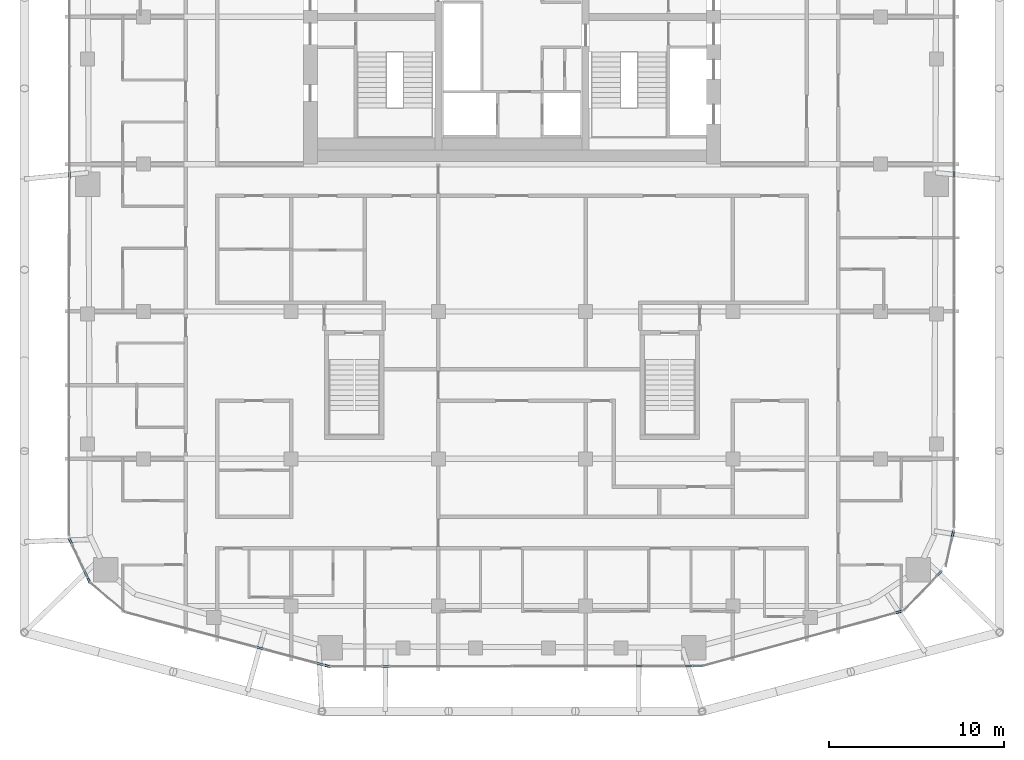
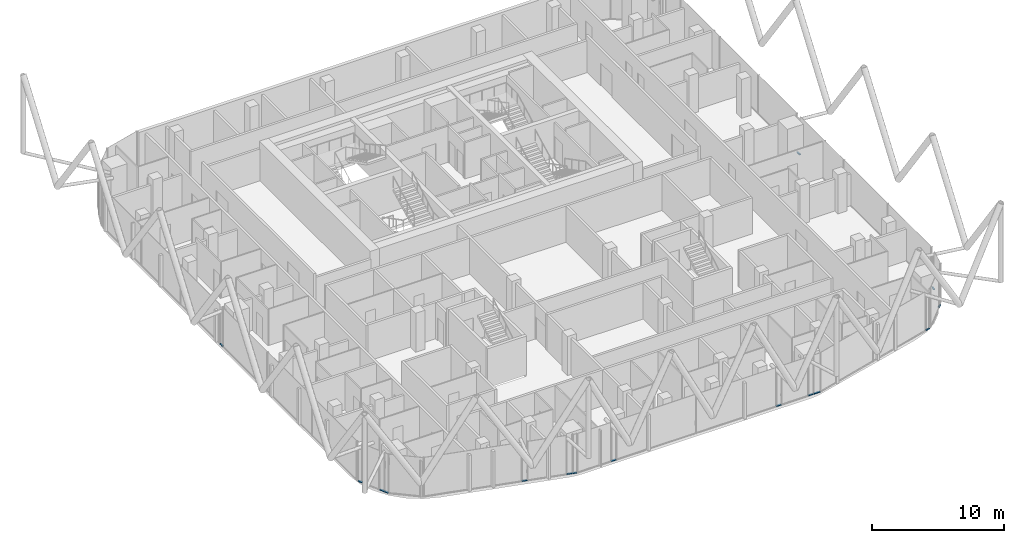
# One storey, part 12 of 31: 15 members, 15 elements without a shape of their own.
"""IFC4 building model written with IfcOpenShell, lengths in metres."""

from ifc_helpers import new_model, si_unit, direction, frame, origin, origin_2d, place, context, subcontext, project, spatial, rectangle, extrude, material, layer, layer_set, material_profile, profile_set, type_object, element, aggregate, save


model = new_model("IFC4")

# Units and contexts
model_context = context("Model", 3, precision=1e-05, world=origin(), true_north=direction((0.0, 1.0)))
body_context = subcontext(model_context, "Body", "Model", "MODEL_VIEW")
ifc_project = project(units=[si_unit("LENGTHUNIT", "METRE"), si_unit("AREAUNIT", "SQUARE_METRE"), si_unit("VOLUMEUNIT", "CUBIC_METRE"), si_unit("PLANEANGLEUNIT", "RADIAN"), si_unit("MASSUNIT", "GRAM", prefix="KILO")], contexts=[model_context])

# Site, building, storey
site_placement = place(None, origin())
site = spatial("IfcSite", under=ifc_project, at=site_placement, CompositionType="ELEMENT")
building_placement = place(site_placement, origin())
building = spatial("IfcBuilding", under=site, at=building_placement, Name="Marenta Gate Hotel Tower", CompositionType="ELEMENT")
storey_placement = place(building_placement, frame((0.0, 0.0, 205.699951171875)))
storey = spatial("IfcBuildingStorey", under=building, at=storey_placement, Name="L47", CompositionType="ELEMENT", Elevation=205.699951171875)

# Curtain wall, member
ifc_material_1 = material(Name="Tinted insulated glass in bronze anodised frame", Category="glass")
ifc_layer = layer(ifc_material_1, 0.1201171875)
ifc_layer_set = layer_set([ifc_layer], Name="Tinted insulated glass in bronze anodised frame")
curtain_wall_type = type_object("IfcCurtainWallType", Name="Tower unitised curtain wall CW1", PredefinedType="NOTDEFINED", material=ifc_layer_set)
curtain_wall_1_placement = place(storey_placement, origin())
curtain_wall_1 = element("IfcCurtainWall", 1, at=curtain_wall_1_placement, inside=storey, type_object=curtain_wall_type, Name="CW1 run G07", PredefinedType="NOTDEFINED")
ifc_material_2 = material(Name="Bronze anodised aluminium", Category="aluminium")
ifc_material_profile = material_profile(ifc_material_2, rectangle(XDim=0.1201171875, YDim=0.06005859375, at=origin_2d()), Name="Transom CW1 60x120 bronze anodised aluminium")
ifc_profile_set = profile_set([ifc_material_profile], Name="Bronze anodised aluminium")
member_type = type_object("IfcMemberType", Name="Transom CW1 60x120 bronze anodised aluminium", PredefinedType="USERDEFINED", material=ifc_profile_set)
member_1_placement = place(storey_placement, frame((-25.240478515625, -0.430419921875, 0.030029296875), z_axis=(-0.001235329508, -0.99999923698, 0.0), x_axis=(0.99999923698, -0.001235329508, 0.0)))
member_1 = element("IfcMember", 2, at=member_1_placement, type_object=member_type, Name="CW1 transom 1.1", ObjectType="TRANSOM", PredefinedType="USERDEFINED", context=body_context, shape_type="SweptSolid", body=[
    extrude(rectangle(XDim=0.1201171875, YDim=0.06005859375, at=origin_2d()), origin(), (0.0, 0.0, 1.0), 0.395263671875),
])
aggregate(curtain_wall_1, [member_1])

curtain_wall_2_placement = place(storey_placement, origin())
curtain_wall_2 = element("IfcCurtainWall", 3, at=curtain_wall_2_placement, inside=storey, type_object=curtain_wall_type, Name="CW1 run G09", PredefinedType="NOTDEFINED")
member_2_placement = place(storey_placement, frame((-25.24755859375, -21.34814453125, 0.030029296875), z_axis=(0.423272916218, -0.906002228693, 0.0), x_axis=(0.906002228693, 0.423272916218, 0.0)))
member_2 = element("IfcMember", 4, at=member_2_placement, type_object=member_type, Name="CW1 transom 1.1", ObjectType="TRANSOM", PredefinedType="USERDEFINED", context=body_context, shape_type="SweptSolid", body=[
    extrude(rectangle(XDim=0.1201171875, YDim=0.06005859375, at=origin_2d()), origin(), (0.0, 0.0, 1.0), 0.344970703125),
])
aggregate(curtain_wall_2, [member_2])

curtain_wall_3_placement = place(storey_placement, origin())
curtain_wall_3 = element("IfcCurtainWall", 5, at=curtain_wall_3_placement, inside=storey, type_object=curtain_wall_type, Name="CW1 run G11", PredefinedType="NOTDEFINED")
member_3_placement = place(storey_placement, frame((-24.406005859375, -23.149169921875, 0.030029296875), z_axis=(0.42333108841, -0.905975049097, 0.0), x_axis=(0.905975049097, 0.42333108841, 0.0)))
member_3 = element("IfcMember", 6, at=member_3_placement, type_object=member_type, Name="CW1 transom 1.1", ObjectType="TRANSOM", PredefinedType="USERDEFINED", context=body_context, shape_type="SweptSolid", body=[
    extrude(rectangle(XDim=0.1201171875, YDim=0.06005859375, at=origin_2d()), origin(), (0.0, 0.0, 1.0), 0.419921875),
])
aggregate(curtain_wall_3, [member_3])

curtain_wall_4_placement = place(storey_placement, origin())
curtain_wall_4 = element("IfcCurtainWall", 7, at=curtain_wall_4_placement, inside=storey, type_object=curtain_wall_type, Name="CW1 run G12", PredefinedType="NOTDEFINED")
member_4_placement = place(storey_placement, frame((-24.202880859375, -23.583740234375, 0.030029296875), z_axis=(0.422602733719, -0.90631502771, 0.0), x_axis=(0.90631502771, 0.422602733719, 0.0)))
member_4 = element("IfcMember", 8, at=member_4_placement, type_object=member_type, Name="CW1 transom 1.1", ObjectType="TRANSOM", PredefinedType="USERDEFINED", context=body_context, shape_type="SweptSolid", body=[
    extrude(rectangle(XDim=0.1201171875, YDim=0.06005859375, at=origin_2d()), origin(), (0.0, 0.0, 1.0), 0.28369140625),
])
aggregate(curtain_wall_4, [member_4])

curtain_wall_5_placement = place(storey_placement, origin())
curtain_wall_5 = element("IfcCurtainWall", 9, at=curtain_wall_5_placement, inside=storey, type_object=curtain_wall_type, Name="CW1 run G15", PredefinedType="NOTDEFINED")
member_5_placement = place(storey_placement, frame((-14.55029296875, -27.544677734375, 0.030029296875), z_axis=(0.966379102199, -0.257121432076, 0.0), x_axis=(0.257121432076, 0.966379102199, 0.0)))
member_5 = element("IfcMember", 10, at=member_5_placement, type_object=member_type, Name="CW1 transom 1.1", ObjectType="TRANSOM", PredefinedType="USERDEFINED", context=body_context, shape_type="SweptSolid", body=[
    extrude(rectangle(XDim=0.1201171875, YDim=0.06005859375, at=origin_2d()), origin(), (0.0, 0.0, 1.0), 0.39306640625),
])
aggregate(curtain_wall_5, [member_5])

curtain_wall_6_placement = place(storey_placement, origin())
curtain_wall_6 = element("IfcCurtainWall", 11, at=curtain_wall_6_placement, inside=storey, type_object=curtain_wall_type, Name="CW1 run G17", PredefinedType="NOTDEFINED")
member_6_placement = place(storey_placement, frame((-11.14599609375, -28.450439453125, 0.030029296875), z_axis=(0.966371226399, -0.257151031083, 0.0), x_axis=(0.257151031083, 0.966371226399, 0.0)))
member_6 = element("IfcMember", 12, at=member_6_placement, type_object=member_type, Name="CW1 transom 1.1", ObjectType="TRANSOM", PredefinedType="USERDEFINED", context=body_context, shape_type="SweptSolid", body=[
    extrude(rectangle(XDim=0.1201171875, YDim=0.06005859375, at=origin_2d()), origin(), (0.0, 0.0, 1.0), 0.415771484375),
])
aggregate(curtain_wall_6, [member_6])

curtain_wall_7_placement = place(storey_placement, origin())
curtain_wall_7 = element("IfcCurtainWall", 13, at=curtain_wall_7_placement, inside=storey, type_object=curtain_wall_type, Name="CW1 run G18", PredefinedType="NOTDEFINED")
member_7_placement = place(storey_placement, frame((-10.686279296875, -28.57275390625, 0.030029296875), z_axis=(0.966262873917, -0.257557874058, 0.0), x_axis=(0.257557874058, 0.966262873917, 0.0)))
member_7 = element("IfcMember", 14, at=member_7_placement, type_object=member_type, Name="CW1 transom 1.1", ObjectType="TRANSOM", PredefinedType="USERDEFINED", context=body_context, shape_type="SweptSolid", body=[
    extrude(rectangle(XDim=0.1201171875, YDim=0.06005859375, at=origin_2d()), origin(), (0.0, 0.0, 1.0), 0.2900390625),
])
aggregate(curtain_wall_7, [member_7])

curtain_wall_8_placement = place(storey_placement, origin())
curtain_wall_8 = element("IfcCurtainWall", 15, at=curtain_wall_8_placement, inside=storey, type_object=curtain_wall_type, Name="CW1 run G20", PredefinedType="NOTDEFINED")
member_8_placement = place(storey_placement, frame((-7.3828125, -28.642578125, 0.030029296875), z_axis=(0.99999826396, 0.001863350802, 0.0), x_axis=(-0.001863350802, 0.99999826396, 0.0)))
member_8 = element("IfcMember", 16, at=member_8_placement, type_object=member_type, Name="CW1 transom 1.1", ObjectType="TRANSOM", PredefinedType="USERDEFINED", context=body_context, shape_type="SweptSolid", body=[
    extrude(rectangle(XDim=0.1201171875, YDim=0.06005859375, at=origin_2d()), origin(), (0.0, 0.0, 1.0), 0.39306640625),
])
aggregate(curtain_wall_8, [member_8])

curtain_wall_9_placement = place(storey_placement, origin())
curtain_wall_9 = element("IfcCurtainWall", 17, at=curtain_wall_9_placement, inside=storey, type_object=curtain_wall_type, Name="CW1 run G22", PredefinedType="NOTDEFINED")
member_9_placement = place(storey_placement, frame((7.0693359375, -28.618896484375, 0.030029296875), z_axis=(0.99999826396, 0.001863350802, 0.0), x_axis=(-0.001863350802, 0.99999826396, 0.0)))
member_9 = element("IfcMember", 18, at=member_9_placement, type_object=member_type, Name="CW1 transom 1.1", ObjectType="TRANSOM", PredefinedType="USERDEFINED", context=body_context, shape_type="SweptSolid", body=[
    extrude(rectangle(XDim=0.1201171875, YDim=0.06005859375, at=origin_2d()), origin(), (0.0, 0.0, 1.0), 0.39306640625),
])
aggregate(curtain_wall_9, [member_9])

curtain_wall_10_placement = place(storey_placement, origin())
curtain_wall_10 = element("IfcCurtainWall", 19, at=curtain_wall_10_placement, inside=storey, type_object=curtain_wall_type, Name="CW1 run G24", PredefinedType="NOTDEFINED")
member_10_placement = place(storey_placement, frame((9.85498046875, -28.6142578125, 0.030029296875), z_axis=(0.9999984374, 0.001767822812, 0.0), x_axis=(-0.001767822812, 0.9999984374, 0.0)))
member_10 = element("IfcMember", 20, at=member_10_placement, type_object=member_type, Name="CW1 transom 1.1", ObjectType="TRANSOM", PredefinedType="USERDEFINED", context=body_context, shape_type="SweptSolid", body=[
    extrude(rectangle(XDim=0.1201171875, YDim=0.06005859375, at=origin_2d()), origin(), (0.0, 0.0, 1.0), 0.414306640625),
])
aggregate(curtain_wall_10, [member_10])

curtain_wall_11_placement = place(storey_placement, origin())
curtain_wall_11 = element("IfcCurtainWall", 21, at=curtain_wall_11_placement, inside=storey, type_object=curtain_wall_type, Name="CW1 run G25", PredefinedType="NOTDEFINED")
member_11_placement = place(storey_placement, frame((10.3291015625, -28.61328125, 0.030029296875), z_axis=(0.999999095908, 0.001344687265, 0.0), x_axis=(-0.001344687265, 0.999999095908, 0.0)))
member_11 = element("IfcMember", 22, at=member_11_placement, type_object=member_type, Name="CW1 transom 1.1", ObjectType="TRANSOM", PredefinedType="USERDEFINED", context=body_context, shape_type="SweptSolid", body=[
    extrude(rectangle(XDim=0.1201171875, YDim=0.06005859375, at=origin_2d()), origin(), (0.0, 0.0, 1.0), 0.544677734375),
])
aggregate(curtain_wall_11, [member_11])

curtain_wall_12_placement = place(storey_placement, origin())
curtain_wall_12 = element("IfcCurtainWall", 23, at=curtain_wall_12_placement, inside=storey, type_object=curtain_wall_type, Name="CW1 run G27", PredefinedType="NOTDEFINED")
member_12_placement = place(storey_placement, frame((21.87744140625, -25.584716796875, 0.030029296875), z_axis=(0.964240401842, 0.26502914454, 0.0), x_axis=(-0.26502914454, 0.964240401842, 0.0)))
member_12 = element("IfcMember", 24, at=member_12_placement, type_object=member_type, Name="CW1 transom 1.1", ObjectType="TRANSOM", PredefinedType="USERDEFINED", context=body_context, shape_type="SweptSolid", body=[
    extrude(rectangle(XDim=0.1201171875, YDim=0.06005859375, at=origin_2d()), origin(), (0.0, 0.0, 1.0), 0.3564453125),
])
aggregate(curtain_wall_12, [member_12])

curtain_wall_13_placement = place(storey_placement, origin())
curtain_wall_13 = element("IfcCurtainWall", 25, at=curtain_wall_13_placement, inside=storey, type_object=curtain_wall_type, Name="CW1 run G29", PredefinedType="NOTDEFINED")
member_13_placement = place(storey_placement, frame((24.244873046875, -23.461669921875, 0.030029296875), z_axis=(0.69228754022, 0.721621758026, 0.0), x_axis=(-0.721621758026, 0.69228754022, 0.0)))
member_13 = element("IfcMember", 26, at=member_13_placement, type_object=member_type, Name="CW1 transom 1.1", ObjectType="TRANSOM", PredefinedType="USERDEFINED", context=body_context, shape_type="SweptSolid", body=[
    extrude(rectangle(XDim=0.1201171875, YDim=0.06005859375, at=origin_2d()), origin(), (0.0, 0.0, 1.0), 0.3330078125),
])
aggregate(curtain_wall_13, [member_13])

curtain_wall_14_placement = place(storey_placement, origin())
curtain_wall_14 = element("IfcCurtainWall", 27, at=curtain_wall_14_placement, inside=storey, type_object=curtain_wall_type, Name="CW1 run G31", PredefinedType="NOTDEFINED")
member_14_placement = place(storey_placement, frame((25.1005859375, -21.254638671875, 0.030029296875), z_axis=(0.216620497047, 0.976255888719, 0.0), x_axis=(-0.976255888719, 0.216620497047, 0.0)))
member_14 = element("IfcMember", 28, at=member_14_placement, type_object=member_type, Name="CW1 transom 1.1", ObjectType="TRANSOM", PredefinedType="USERDEFINED", context=body_context, shape_type="SweptSolid", body=[
    extrude(rectangle(XDim=0.1201171875, YDim=0.06005859375, at=origin_2d()), origin(), (0.0, 0.0, 1.0), 0.33349609375),
])
aggregate(curtain_wall_14, [member_14])

curtain_wall_15_placement = place(storey_placement, origin())
curtain_wall_15 = element("IfcCurtainWall", 29, at=curtain_wall_15_placement, inside=storey, type_object=curtain_wall_type, Name="CW1 run G33", PredefinedType="NOTDEFINED")
member_15_placement = place(storey_placement, frame((25.214111328125, -0.762939453125, 0.030029296875), z_axis=(0.0, 1.0, 0.0), x_axis=(-1.0, 0.0, 0.0)))
member_15 = element("IfcMember", 30, at=member_15_placement, type_object=member_type, Name="CW1 transom 1.1", ObjectType="TRANSOM", PredefinedType="USERDEFINED", context=body_context, shape_type="SweptSolid", body=[
    extrude(rectangle(XDim=0.1201171875, YDim=0.06005859375, at=origin_2d()), origin(), (0.0, 0.0, 1.0), 0.39501953125),
])
aggregate(curtain_wall_15, [member_15])

save(model, "model.ifc")
